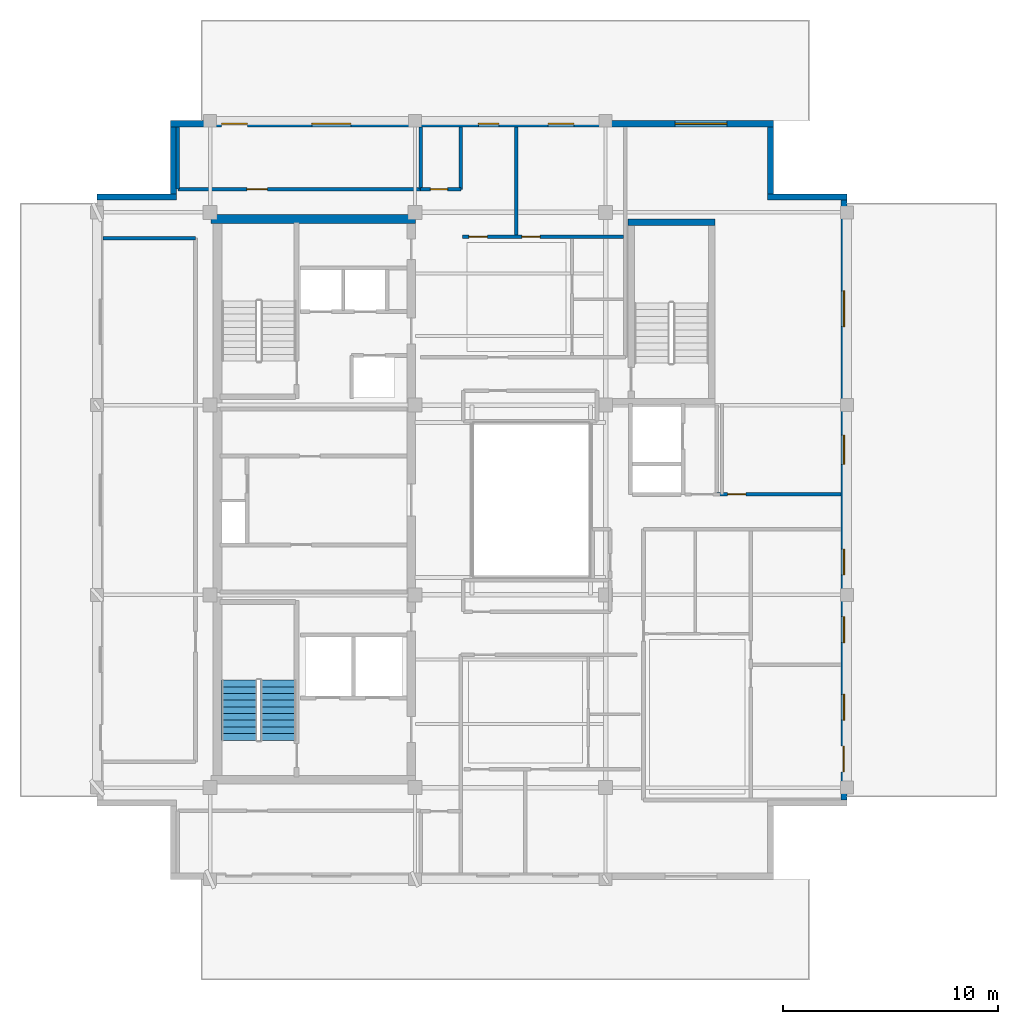
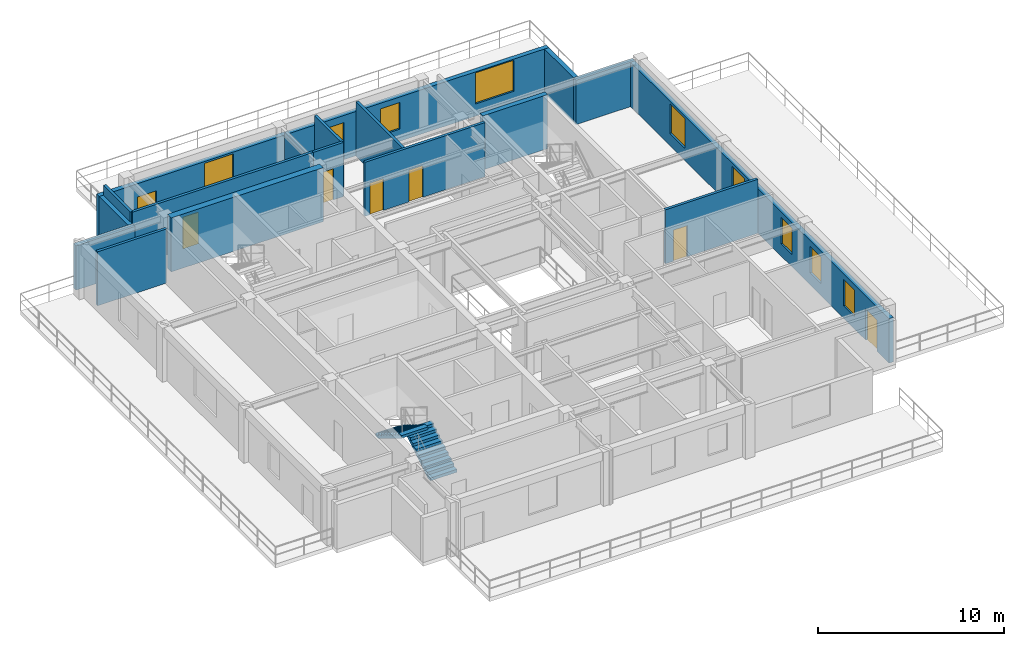
# One storey, part 5 of 9: 17 walls, 9 windows, 7 doors, 2 stair flights, 16 openings, 1 element without a shape of its own.
"""IFC4 building model written with IfcOpenShell, lengths in metres."""

from ifc_helpers import new_model, si_unit, direction, frame, frame_2d, origin, place, context, subcontext, project, spatial, polyline, rectangle, outline, extrude, material, layer, layer_set, type_object, element, fill, aggregate, save


model = new_model("IFC4")

# Units and contexts
model_context = context("Model", 3, precision=1e-05, world=origin(), true_north=direction((0.0, 1.0)))
body_context = subcontext(model_context, "Body", "Model", "MODEL_VIEW")
ifc_project = project(units=[si_unit("LENGTHUNIT", "METRE"), si_unit("AREAUNIT", "SQUARE_METRE"), si_unit("VOLUMEUNIT", "CUBIC_METRE"), si_unit("PLANEANGLEUNIT", "RADIAN"), si_unit("MASSUNIT", "GRAM", prefix="KILO")], contexts=[model_context])

# Site, building, storey
site_placement = place(None, origin())
site = spatial("IfcSite", under=ifc_project, at=site_placement, CompositionType="ELEMENT")
building_placement = place(site_placement, origin())
building = spatial("IfcBuilding", under=site, at=building_placement, Name="Kundavana Baori Tower", CompositionType="ELEMENT")
storey_placement = place(building_placement, frame((0.0, 0.0, 327.699951171875)))
storey = spatial("IfcBuildingStorey", under=building, at=storey_placement, Name="L81", CompositionType="ELEMENT", Elevation=327.699951171875)

# Wall
ifc_material_1 = material(Name="Concrete C50/60", Category="concrete")
ifc_layer_1 = layer(ifc_material_1, 0.39990234375, Name="WL-CORE-400")
ifc_layer_set_1 = layer_set([ifc_layer_1], Name="Concrete C50/60")
wall_type_1 = type_object("IfcWallType", Name="WL-CORE-400", PredefinedType="SHEAR", material=ifc_layer_set_1)
wall_1_placement = place(storey_placement, frame((15.5, 41.639892578125, 0.0), z_axis=(0.0, 0.0, 1.0), x_axis=(1.0, 0.0, 0.0)))
element("IfcWall", 1, at=wall_1_placement, inside=storey, type_object=wall_type_1, Name="L81 Offset Core North Shear Wall", PredefinedType="SHEAR", context=body_context, shape_type="SweptSolid", body=[
    extrude(rectangle(XDim=9.47998046875, YDim=0.39990234375, at=frame_2d((4.739990234375, 0.0))), origin(), (0.0, 0.0, 1.0), 3.56005859375),
])

# Wall, openings, door, windows
ifc_material_2 = material(Name="Red-Buff Dholpur Sandstone Cladding on Concrete C40/50", Category="masonry")
ifc_layer_2 = layer(ifc_material_2, 0.280029296875, Name="WL-EXT-SAND-280")
ifc_layer_set_2 = layer_set([ifc_layer_2], Name="Red-Buff Dholpur Sandstone Cladding on Concrete C40/50")
wall_type_2 = type_object("IfcWallType", Name="WL-EXT-SAND-280", PredefinedType="STANDARD", material=ifc_layer_set_2)
wall_2_placement = place(storey_placement, frame((44.860107421875, 14.679931640625, 0.0), z_axis=(0.0, 0.0, 1.0), x_axis=(0.0, 1.0, 0.0)))
wall_2 = element("IfcWall", 2, at=wall_2_placement, inside=storey, type_object=wall_type_2, Name="L81 Exterior Insulated Facade Wall 04", PredefinedType="STANDARD", context=body_context, shape_type="SweptSolid", body=[
    extrude(rectangle(XDim=27.840087890625, YDim=0.280029296875, at=frame_2d((13.919921875, 0.0))), origin(), (0.0, 0.0, 1.0), 2.920166015625),
])
opening_1_placement = place(wall_2_placement, frame((1.300048828125, 0.0, 0.0)))
opening_1 = element("IfcOpeningElement", 3, at=opening_1_placement, cuts=wall_2, Name="Opening TD-1", PredefinedType="OPENING", context=body_context, shape_type="SweptSolid", body=[
    extrude(rectangle(XDim=1.199951171875, YDim=2.050048828125, at=frame_2d((0.60009765625, 1.02490234375))), frame((0.0, 0.14990234375, 0.0), z_axis=(0.0, -1.0, 0.0), x_axis=(1.0, 0.0, 0.0)), (0.0, 0.0, 1.0), 0.300048828125),
])
opening_2_placement = place(wall_2_placement, frame((3.702880859375, 0.0, 0.800048828125)))
opening_2 = element("IfcOpeningElement", 4, at=opening_2_placement, cuts=wall_2, Name="Opening W-03", PredefinedType="OPENING", context=body_context, shape_type="SweptSolid", body=[
    extrude(rectangle(XDim=1.199951171875, YDim=1.75, at=frame_2d((0.60009765625, 0.875))), frame((0.0, 0.14990234375, 0.0), z_axis=(0.0, -1.0, 0.0), x_axis=(1.0, 0.0, 0.0)), (0.0, 0.0, 1.0), 0.300048828125),
])
opening_3_placement = place(wall_2_placement, frame((7.302978515625, 0.0, 0.800048828125)))
opening_3 = element("IfcOpeningElement", 5, at=opening_3_placement, cuts=wall_2, Name="Opening W-03", PredefinedType="OPENING", context=body_context, shape_type="SweptSolid", body=[
    extrude(rectangle(XDim=1.199951171875, YDim=1.75, at=frame_2d((0.60009765625, 0.875))), frame((0.0, 0.14990234375, 0.0), z_axis=(0.0, -1.0, 0.0), x_axis=(1.0, 0.0, 0.0)), (0.0, 0.0, 1.0), 0.300048828125),
])
opening_4_placement = place(wall_2_placement, frame((10.445068359375, 0.0, 0.800048828125)))
opening_4 = element("IfcOpeningElement", 6, at=opening_4_placement, cuts=wall_2, Name="Opening W-03", PredefinedType="OPENING", context=body_context, shape_type="SweptSolid", body=[
    extrude(rectangle(XDim=1.199951171875, YDim=1.75, at=frame_2d((0.60009765625, 0.875))), frame((0.0, 0.14990234375, 0.0), z_axis=(0.0, -1.0, 0.0), x_axis=(1.0, 0.0, 0.0)), (0.0, 0.0, 1.0), 0.300048828125),
])
opening_5_placement = place(wall_2_placement, frame((15.574951171875, 0.0, 0.800048828125)))
opening_5 = element("IfcOpeningElement", 7, at=opening_5_placement, cuts=wall_2, Name="Opening W-07", PredefinedType="OPENING", context=body_context, shape_type="SweptSolid", body=[
    extrude(rectangle(XDim=1.35009765625, YDim=1.89990234375, at=frame_2d((0.675048828125, 0.949951171875))), frame((0.0, 0.14990234375, 0.0), z_axis=(0.0, -1.0, 0.0), x_axis=(1.0, 0.0, 0.0)), (0.0, 0.0, 1.0), 0.300048828125),
])
opening_6_placement = place(wall_2_placement, frame((21.969970703125, 0.0, 0.800048828125)))
opening_6 = element("IfcOpeningElement", 8, at=opening_6_placement, cuts=wall_2, Name="Opening W-08", PredefinedType="OPENING", context=body_context, shape_type="SweptSolid", body=[
    extrude(rectangle(XDim=1.64990234375, YDim=1.949951171875, at=frame_2d((0.824951171875, 0.97509765625))), frame((0.0, 0.14990234375, 0.0), z_axis=(0.0, -1.0, 0.0), x_axis=(1.0, 0.0, 0.0)), (0.0, 0.0, 1.0), 0.300048828125),
])
ifc_material_3 = material(Name="Architectural Patinated Bronze Metalwork")
door_type_1 = type_object("IfcDoorType", Name="DR-EXT-TER-1200", OperationType="NOTDEFINED", PredefinedType="DOOR", material=ifc_material_3)
door_1_placement = place(opening_1_placement, frame((1.199951171875, 0.0, 0.0), z_axis=(0.0, 0.0, 1.0), x_axis=(-1.0, 0.0, 0.0)))
door_1 = element("IfcDoor", 9, at=door_1_placement, inside=storey, type_object=door_type_1, Name="L81 Terrace Access Door E", OperationType="SINGLE_SWING_RIGHT", OverallHeight=2.050048828125, OverallWidth=1.199951171875, PredefinedType="DOOR", context=body_context, shape_type="SweptSolid", body=[
    extrude(rectangle(XDim=1.199951171875, YDim=2.050048828125, at=frame_2d((0.60009765625, 1.02490234375))), frame((0.0, 0.02490234375, 0.0), z_axis=(0.0, -1.0, 0.0), x_axis=(1.0, 0.0, 0.0)), (0.0, 0.0, 1.0), 0.050048828125),
])
fill(opening_1, door_1)
ifc_material_4 = material(Name="Double-Glazed Solar-Control Low-E Insulated Glass", Category="glass")
window_type_1 = type_object("IfcWindowType", Name="WIN-LOG-1200x1750", PartitioningType="SINGLE_PANEL", PredefinedType="WINDOW", material=ifc_material_4)
window_1_placement = place(opening_2_placement, origin())
window_1 = element("IfcWindow", 10, at=window_1_placement, inside=storey, type_object=window_type_1, Name="L81 Recessed Loggia Window E-1", OverallHeight=1.75, OverallWidth=1.199951171875, PartitioningType="SINGLE_PANEL", PredefinedType="WINDOW", context=body_context, shape_type="SweptSolid", body=[
    extrude(rectangle(XDim=1.199951171875, YDim=1.75, at=frame_2d((0.60009765625, 0.875))), frame((0.0, 0.030029296875, 0.0), z_axis=(0.0, -1.0, 0.0), x_axis=(1.0, 0.0, 0.0)), (0.0, 0.0, 1.0), 0.06005859375),
])
fill(opening_2, window_1)
window_2_placement = place(opening_3_placement, origin())
window_2 = element("IfcWindow", 11, at=window_2_placement, inside=storey, type_object=window_type_1, Name="L81 Recessed Loggia Window E-2", OverallHeight=1.75, OverallWidth=1.199951171875, PartitioningType="SINGLE_PANEL", PredefinedType="WINDOW", context=body_context, shape_type="SweptSolid", body=[
    extrude(rectangle(XDim=1.199951171875, YDim=1.75, at=frame_2d((0.60009765625, 0.875))), frame((0.0, 0.030029296875, 0.0), z_axis=(0.0, -1.0, 0.0), x_axis=(1.0, 0.0, 0.0)), (0.0, 0.0, 1.0), 0.06005859375),
])
fill(opening_3, window_2)
window_3_placement = place(opening_4_placement, origin())
window_3 = element("IfcWindow", 12, at=window_3_placement, inside=storey, type_object=window_type_1, Name="L81 Recessed Loggia Window E-3", OverallHeight=1.75, OverallWidth=1.199951171875, PartitioningType="SINGLE_PANEL", PredefinedType="WINDOW", context=body_context, shape_type="SweptSolid", body=[
    extrude(rectangle(XDim=1.199951171875, YDim=1.75, at=frame_2d((0.60009765625, 0.875))), frame((0.0, 0.030029296875, 0.0), z_axis=(0.0, -1.0, 0.0), x_axis=(1.0, 0.0, 0.0)), (0.0, 0.0, 1.0), 0.06005859375),
])
fill(opening_4, window_3)
ifc_material_5 = material(Name="Double-Glazed Solar-Control Low-E Insulated Glass", Category="glass")
window_type_2 = type_object("IfcWindowType", Name="WIN-LOG-1350x1900", PartitioningType="SINGLE_PANEL", PredefinedType="WINDOW", material=ifc_material_5)
window_4_placement = place(opening_5_placement, origin())
window_4 = element("IfcWindow", 13, at=window_4_placement, inside=storey, type_object=window_type_2, Name="L81 Recessed Loggia Window E-4", OverallHeight=1.89990234375, OverallWidth=1.35009765625, PartitioningType="SINGLE_PANEL", PredefinedType="WINDOW", context=body_context, shape_type="SweptSolid", body=[
    extrude(rectangle(XDim=1.35009765625, YDim=1.89990234375, at=frame_2d((0.675048828125, 0.949951171875))), frame((0.0, 0.030029296875, 0.0), z_axis=(0.0, -1.0, 0.0), x_axis=(1.0, 0.0, 0.0)), (0.0, 0.0, 1.0), 0.06005859375),
])
fill(opening_5, window_4)
ifc_material_6 = material(Name="Double-Glazed Solar-Control Low-E Insulated Glass", Category="glass")
window_type_3 = type_object("IfcWindowType", Name="WIN-LOG-1650x1950", PartitioningType="SINGLE_PANEL", PredefinedType="WINDOW", material=ifc_material_6)
window_5_placement = place(opening_6_placement, origin())
window_5 = element("IfcWindow", 14, at=window_5_placement, inside=storey, type_object=window_type_3, Name="L81 Recessed Loggia Window E-5", OverallHeight=1.949951171875, OverallWidth=1.64990234375, PartitioningType="SINGLE_PANEL", PredefinedType="WINDOW", context=body_context, shape_type="SweptSolid", body=[
    extrude(rectangle(XDim=1.64990234375, YDim=1.949951171875, at=frame_2d((0.824951171875, 0.97509765625))), frame((0.0, 0.030029296875, 0.0), z_axis=(0.0, -1.0, 0.0), x_axis=(1.0, 0.0, 0.0)), (0.0, 0.0, 1.0), 0.06005859375),
])
fill(opening_6, window_5)

# Walls
wall_3_placement = place(storey_placement, frame((45.0, 42.659912109375, 0.0), z_axis=(0.0, 0.0, 1.0), x_axis=(-1.0, 0.0, 0.0)))
element("IfcWall", 15, at=wall_3_placement, inside=storey, type_object=wall_type_2, Name="L81 Exterior Insulated Facade Wall 05", PredefinedType="STANDARD", context=body_context, shape_type="SweptSolid", body=[
    extrude(rectangle(XDim=3.679931640625, YDim=0.280029296875, at=frame_2d((1.83984375, 0.0))), origin(), (0.0, 0.0, 1.0), 2.920166015625),
])
wall_4_placement = place(storey_placement, frame((41.4599609375, 42.800048828125, 0.0), z_axis=(0.0, 0.0, 1.0), x_axis=(0.0, 1.0, 0.0)))
element("IfcWall", 16, at=wall_4_placement, inside=storey, type_object=wall_type_2, Name="L81 Exterior Insulated Facade Wall 06", PredefinedType="STANDARD", context=body_context, shape_type="SweptSolid", body=[
    extrude(rectangle(XDim=3.119873046875, YDim=0.280029296875, at=frame_2d((1.56005859375, 0.0))), origin(), (0.0, 0.0, 1.0), 2.920166015625),
])

# Wall, openings, door, windows
wall_5_placement = place(storey_placement, frame((41.60009765625, 46.06005859375, 0.0), z_axis=(0.0, 0.0, 1.0), x_axis=(-1.0, 0.0, 0.0)))
wall_5 = element("IfcWall", 17, at=wall_5_placement, inside=storey, type_object=wall_type_2, Name="L81 Exterior Insulated Facade Wall 07", PredefinedType="STANDARD", context=body_context, shape_type="SweptSolid", body=[
    extrude(rectangle(XDim=28.0, YDim=0.280029296875, at=frame_2d((14.0, 0.0))), origin(), (0.0, 0.0, 1.0), 2.920166015625),
])
opening_7_placement = place(wall_5_placement, frame((24.419921875, 0.0, 0.0)))
opening_7 = element("IfcOpeningElement", 18, at=opening_7_placement, cuts=wall_5, Name="Opening TD-1", PredefinedType="OPENING", context=body_context, shape_type="SweptSolid", body=[
    extrude(rectangle(XDim=1.199951171875, YDim=2.050048828125, at=frame_2d((0.60009765625, 1.02490234375))), frame((0.0, 0.14990234375, 0.0), z_axis=(0.0, -1.0, 0.0), x_axis=(1.0, 0.0, 0.0)), (0.0, 0.0, 1.0), 0.300048828125),
])
opening_8_placement = place(wall_5_placement, frame((19.625, 0.0, 0.800048828125)))
opening_8 = element("IfcOpeningElement", 19, at=opening_8_placement, cuts=wall_5, Name="Opening W-01", PredefinedType="OPENING", context=body_context, shape_type="SweptSolid", body=[
    extrude(rectangle(XDim=1.800048828125, YDim=2.0, at=frame_2d((0.89990234375, 1.0))), frame((0.0, 0.14990234375, 0.0), z_axis=(0.0, -1.0, 0.0), x_axis=(1.0, 0.0, 0.0)), (0.0, 0.0, 1.0), 0.300048828125),
])
opening_9_placement = place(wall_5_placement, frame((12.7548828125, 0.0, 0.800048828125)))
opening_9 = element("IfcOpeningElement", 20, at=opening_9_placement, cuts=wall_5, Name="Opening W-13", PredefinedType="OPENING", context=body_context, shape_type="SweptSolid", body=[
    extrude(rectangle(XDim=0.949951171875, YDim=1.64990234375, at=frame_2d((0.47509765625, 0.824951171875))), frame((0.0, 0.14990234375, 0.0), z_axis=(0.0, -1.0, 0.0), x_axis=(1.0, 0.0, 0.0)), (0.0, 0.0, 1.0), 0.300048828125),
])
opening_10_placement = place(wall_5_placement, frame((9.27001953125, 0.0, 0.800048828125)))
opening_10 = element("IfcOpeningElement", 21, at=opening_10_placement, cuts=wall_5, Name="Opening W-03", PredefinedType="OPENING", context=body_context, shape_type="SweptSolid", body=[
    extrude(rectangle(XDim=1.199951171875, YDim=1.75, at=frame_2d((0.60009765625, 0.875))), frame((0.0, 0.14990234375, 0.0), z_axis=(0.0, -1.0, 0.0), x_axis=(1.0, 0.0, 0.0)), (0.0, 0.0, 1.0), 0.300048828125),
])
opening_11_placement = place(wall_5_placement, frame((2.175048828125, 0.0, 0.800048828125)))
opening_11 = element("IfcOpeningElement", 22, at=opening_11_placement, cuts=wall_5, Name="Opening W-04", PredefinedType="OPENING", context=body_context, shape_type="SweptSolid", body=[
    extrude(rectangle(XDim=2.39990234375, YDim=2.050048828125, at=frame_2d((1.199951171875, 1.02490234375))), frame((0.0, 0.14990234375, 0.0), z_axis=(0.0, -1.0, 0.0), x_axis=(1.0, 0.0, 0.0)), (0.0, 0.0, 1.0), 0.300048828125),
])
door_2_placement = place(opening_7_placement, frame((1.199951171875, 0.0, 0.0), z_axis=(0.0, 0.0, 1.0), x_axis=(-1.0, 0.0, 0.0)))
door_2 = element("IfcDoor", 23, at=door_2_placement, inside=storey, type_object=door_type_1, Name="L81 Terrace Access Door N", OperationType="SINGLE_SWING_LEFT", OverallHeight=2.050048828125, OverallWidth=1.199951171875, PredefinedType="DOOR", context=body_context, shape_type="SweptSolid", body=[
    extrude(rectangle(XDim=1.199951171875, YDim=2.050048828125, at=frame_2d((0.60009765625, 1.02490234375))), frame((0.0, 0.02490234375, 0.0), z_axis=(0.0, -1.0, 0.0), x_axis=(1.0, 0.0, 0.0)), (0.0, 0.0, 1.0), 0.050048828125),
])
fill(opening_7, door_2)
window_6_placement = place(opening_10_placement, origin())
window_6 = element("IfcWindow", 24, at=window_6_placement, inside=storey, type_object=window_type_1, Name="L81 Recessed Loggia Window N-3", OverallHeight=1.75, OverallWidth=1.199951171875, PartitioningType="SINGLE_PANEL", PredefinedType="WINDOW", context=body_context, shape_type="SweptSolid", body=[
    extrude(rectangle(XDim=1.199951171875, YDim=1.75, at=frame_2d((0.60009765625, 0.875))), frame((0.0, 0.030029296875, 0.0), z_axis=(0.0, -1.0, 0.0), x_axis=(1.0, 0.0, 0.0)), (0.0, 0.0, 1.0), 0.06005859375),
])
fill(opening_10, window_6)
ifc_material_7 = material(Name="Double-Glazed Solar-Control Low-E Insulated Glass", Category="glass")
window_type_4 = type_object("IfcWindowType", Name="WIN-LOG-1800x2000", PartitioningType="SINGLE_PANEL", PredefinedType="WINDOW", material=ifc_material_7)
window_7_placement = place(opening_8_placement, origin())
window_7 = element("IfcWindow", 25, at=window_7_placement, inside=storey, type_object=window_type_4, Name="L81 Recessed Loggia Window N-1", OverallHeight=2.0, OverallWidth=1.800048828125, PartitioningType="SINGLE_PANEL", PredefinedType="WINDOW", context=body_context, shape_type="SweptSolid", body=[
    extrude(rectangle(XDim=1.800048828125, YDim=2.0, at=frame_2d((0.89990234375, 1.0))), frame((0.0, 0.030029296875, 0.0), z_axis=(0.0, -1.0, 0.0), x_axis=(1.0, 0.0, 0.0)), (0.0, 0.0, 1.0), 0.06005859375),
])
fill(opening_8, window_7)
ifc_material_8 = material(Name="Double-Glazed Solar-Control Low-E Insulated Glass", Category="glass")
window_type_5 = type_object("IfcWindowType", Name="WIN-LOG-2400x2050", PartitioningType="SINGLE_PANEL", PredefinedType="WINDOW", material=ifc_material_8)
window_8_placement = place(opening_11_placement, origin())
window_8 = element("IfcWindow", 26, at=window_8_placement, inside=storey, type_object=window_type_5, Name="L81 Recessed Loggia Window N-4", OverallHeight=2.050048828125, OverallWidth=2.39990234375, PartitioningType="SINGLE_PANEL", PredefinedType="WINDOW", context=body_context, shape_type="SweptSolid", body=[
    extrude(rectangle(XDim=2.39990234375, YDim=2.050048828125, at=frame_2d((1.199951171875, 1.02490234375))), frame((0.0, 0.030029296875, 0.0), z_axis=(0.0, -1.0, 0.0), x_axis=(1.0, 0.0, 0.0)), (0.0, 0.0, 1.0), 0.06005859375),
])
fill(opening_11, window_8)
ifc_material_9 = material(Name="Double-Glazed Solar-Control Low-E Insulated Glass", Category="glass")
window_type_6 = type_object("IfcWindowType", Name="WIN-LOG-950x1650", PartitioningType="SINGLE_PANEL", PredefinedType="WINDOW", material=ifc_material_9)
window_9_placement = place(opening_9_placement, origin())
window_9 = element("IfcWindow", 27, at=window_9_placement, inside=storey, type_object=window_type_6, Name="L81 Recessed Loggia Window N-2", OverallHeight=1.64990234375, OverallWidth=0.949951171875, PartitioningType="SINGLE_PANEL", PredefinedType="WINDOW", context=body_context, shape_type="SweptSolid", body=[
    extrude(rectangle(XDim=0.949951171875, YDim=1.64990234375, at=frame_2d((0.47509765625, 0.824951171875))), frame((0.0, 0.030029296875, 0.0), z_axis=(0.0, -1.0, 0.0), x_axis=(1.0, 0.0, 0.0)), (0.0, 0.0, 1.0), 0.06005859375),
])
fill(opening_9, window_9)

# Walls
wall_6_placement = place(storey_placement, frame((13.739990234375, 45.919921875, 0.0), z_axis=(0.0, 0.0, 1.0), x_axis=(0.0, -1.0, 0.0)))
element("IfcWall", 28, at=wall_6_placement, inside=storey, type_object=wall_type_2, Name="L81 Exterior Insulated Facade Wall 08", PredefinedType="STANDARD", context=body_context, shape_type="SweptSolid", body=[
    extrude(rectangle(XDim=3.119873046875, YDim=0.280029296875, at=frame_2d((1.56005859375, 0.0))), origin(), (0.0, 0.0, 1.0), 2.920166015625),
])
wall_7_placement = place(storey_placement, frame((13.8798828125, 42.659912109375, 0.0), z_axis=(0.0, 0.0, 1.0), x_axis=(-1.0, 0.0, 0.0)))
element("IfcWall", 29, at=wall_7_placement, inside=storey, type_object=wall_type_2, Name="L81 Exterior Insulated Facade Wall 09", PredefinedType="STANDARD", context=body_context, shape_type="SweptSolid", body=[
    extrude(rectangle(XDim=3.679931640625, YDim=0.280029296875, at=frame_2d((1.83984375, 0.0))), origin(), (0.0, 0.0, 1.0), 2.920166015625),
])

# Wall, opening, door
ifc_material_10 = material(Name="Fire-Rated Gypsum Drywall on Galvanised Steel Studs", Category="steel")
ifc_layer_3 = layer(ifc_material_10, 0.1650390625, Name="WL-PART-165")
ifc_layer_set_3 = layer_set([ifc_layer_3], Name="Fire-Rated Gypsum Drywall on Galvanised Steel Studs")
wall_type_3 = type_object("IfcWallType", Name="WL-PART-165", PredefinedType="PARTITIONING", material=ifc_layer_set_3)
wall_8_placement = place(storey_placement, frame((13.949951171875, 43.030029296875, 0.0), z_axis=(0.0, 0.0, 1.0), x_axis=(1.0, 0.0, 0.0)))
wall_8 = element("IfcWall", 30, at=wall_8_placement, inside=storey, type_object=wall_type_3, Name="WL-L81-RNC", PredefinedType="PARTITIONING", context=body_context, shape_type="SweptSolid", body=[
    extrude(rectangle(XDim=11.27001953125, YDim=0.1650390625, at=frame_2d((5.635009765625, 0.0))), origin(), (0.0, 0.0, 1.0), 3.56005859375),
])
opening_12_placement = place(wall_8_placement, frame((3.199951171875, 0.0, 0.0)))
opening_12 = element("IfcOpeningElement", 31, at=opening_12_placement, cuts=wall_8, Name="Opening ID-095", PredefinedType="OPENING", context=body_context, shape_type="SweptSolid", body=[
    extrude(rectangle(XDim=0.949951171875, YDim=2.080078125, at=frame_2d((0.47509765625, 1.0400390625))), frame((0.0, 0.092529296875, 0.0), z_axis=(0.0, -1.0, 0.0), x_axis=(1.0, 0.0, 0.0)), (0.0, 0.0, 1.0), 0.18505859375),
])
ifc_material_11 = material(Name="Engineered Teak Solid-Core Timber Veneer", Category="wood")
door_type_2 = type_object("IfcDoorType", Name="DR-INT-950", OperationType="NOTDEFINED", PredefinedType="DOOR", material=ifc_material_11)
door_3_placement = place(opening_12_placement, origin())
door_3 = element("IfcDoor", 32, at=door_3_placement, inside=storey, type_object=door_type_2, Name="DR-L81-RMNW", OperationType="SINGLE_SWING_RIGHT", OverallHeight=2.080078125, OverallWidth=0.949951171875, PredefinedType="DOOR", context=body_context, shape_type="SweptSolid", body=[
    extrude(rectangle(XDim=0.949951171875, YDim=2.080078125, at=frame_2d((0.47509765625, 1.0400390625))), frame((0.0, 0.02490234375, 0.0), z_axis=(0.0, -1.0, 0.0), x_axis=(1.0, 0.0, 0.0)), (0.0, 0.0, 1.0), 0.050048828125),
])
fill(opening_12, door_3)

# Walls
wall_9_placement = place(storey_placement, frame((13.949951171875, 43.030029296875, 0.0), z_axis=(0.0, 0.0, 1.0), x_axis=(0.0, 1.0, 0.0)))
element("IfcWall", 33, at=wall_9_placement, inside=storey, type_object=wall_type_3, Name="WL-L81-RNCW", PredefinedType="PARTITIONING", context=body_context, shape_type="SweptSolid", body=[
    extrude(rectangle(XDim=2.889892578125, YDim=0.1650390625, at=frame_2d((1.44482421875, 0.0))), origin(), (0.0, 0.0, 1.0), 3.56005859375),
])
wall_10_placement = place(storey_placement, frame((25.219970703125, 43.030029296875, 0.0), z_axis=(0.0, 0.0, 1.0), x_axis=(0.0, 1.0, 0.0)))
element("IfcWall", 34, at=wall_10_placement, inside=storey, type_object=wall_type_3, Name="WL-L81-RNCE", PredefinedType="PARTITIONING", context=body_context, shape_type="SweptSolid", body=[
    extrude(rectangle(XDim=2.889892578125, YDim=0.1650390625, at=frame_2d((1.44482421875, 0.0))), origin(), (0.0, 0.0, 1.0), 3.110107421875),
])
wall_11_placement = place(storey_placement, frame((10.47998046875, 40.75, 0.0), z_axis=(0.0, 0.0, 1.0), x_axis=(1.0, 0.0, 0.0)))
element("IfcWall", 35, at=wall_11_placement, inside=storey, type_object=wall_type_3, Name="WL-L81-RWN", PredefinedType="PARTITIONING", context=body_context, shape_type="SweptSolid", body=[
    extrude(rectangle(XDim=4.2900390625, YDim=0.1650390625, at=frame_2d((2.14501953125, 0.0))), origin(), (0.0, 0.0, 1.0), 3.56005859375),
])

# Wall, openings, doors
wall_12_placement = place(storey_placement, frame((27.159912109375, 40.822021484375, 0.0), z_axis=(0.0, 0.0, 1.0), x_axis=(1.0, 0.0, 0.0)))
wall_12 = element("IfcWall", 36, at=wall_12_placement, inside=storey, type_object=wall_type_3, Name="WL-L81-N1-HZ", PredefinedType="PARTITIONING", context=body_context, shape_type="SweptSolid", body=[
    extrude(rectangle(XDim=7.47998046875, YDim=0.1650390625, at=frame_2d((3.739990234375, 0.0))), origin(), (0.0, 0.0, 1.0), 3.56005859375),
])
opening_13_placement = place(wall_12_placement, frame((0.300048828125, 0.0, 0.0)))
opening_13 = element("IfcOpeningElement", 37, at=opening_13_placement, cuts=wall_12, Name="Opening ID-085", PredefinedType="OPENING", context=body_context, shape_type="SweptSolid", body=[
    extrude(rectangle(XDim=0.85009765625, YDim=2.080078125, at=frame_2d((0.425048828125, 1.0400390625))), frame((0.0, 0.092529296875, 0.0), z_axis=(0.0, -1.0, 0.0), x_axis=(1.0, 0.0, 0.0)), (0.0, 0.0, 1.0), 0.18505859375),
])
opening_14_placement = place(wall_12_placement, frame((2.75, 0.0, 0.0)))
opening_14 = element("IfcOpeningElement", 38, at=opening_14_placement, cuts=wall_12, Name="Opening ID-085", PredefinedType="OPENING", context=body_context, shape_type="SweptSolid", body=[
    extrude(rectangle(XDim=0.85009765625, YDim=2.080078125, at=frame_2d((0.425048828125, 1.0400390625))), frame((0.0, 0.092529296875, 0.0), z_axis=(0.0, -1.0, 0.0), x_axis=(1.0, 0.0, 0.0)), (0.0, 0.0, 1.0), 0.18505859375),
])
ifc_material_12 = material(Name="Engineered Teak Solid-Core Timber Veneer", Category="wood")
door_type_3 = type_object("IfcDoorType", Name="DR-INT-850", OperationType="NOTDEFINED", PredefinedType="DOOR", material=ifc_material_12)
door_4_placement = place(opening_13_placement, origin())
door_4 = element("IfcDoor", 39, at=door_4_placement, inside=storey, type_object=door_type_3, Name="DR-L81-N1-B1", OperationType="SINGLE_SWING_LEFT", OverallHeight=2.080078125, OverallWidth=0.85009765625, PredefinedType="DOOR", context=body_context, shape_type="SweptSolid", body=[
    extrude(rectangle(XDim=0.85009765625, YDim=2.080078125, at=frame_2d((0.425048828125, 1.0400390625))), frame((0.0, 0.02490234375, 0.0), z_axis=(0.0, -1.0, 0.0), x_axis=(1.0, 0.0, 0.0)), (0.0, 0.0, 1.0), 0.050048828125),
])
fill(opening_13, door_4)
door_5_placement = place(opening_14_placement, origin())
door_5 = element("IfcDoor", 40, at=door_5_placement, inside=storey, type_object=door_type_3, Name="DR-L81-N1-B2", OperationType="SINGLE_SWING_RIGHT", OverallHeight=2.080078125, OverallWidth=0.85009765625, PredefinedType="DOOR", context=body_context, shape_type="SweptSolid", body=[
    extrude(rectangle(XDim=0.85009765625, YDim=2.080078125, at=frame_2d((0.425048828125, 1.0400390625))), frame((0.0, 0.02490234375, 0.0), z_axis=(0.0, -1.0, 0.0), x_axis=(1.0, 0.0, 0.0)), (0.0, 0.0, 1.0), 0.050048828125),
])
fill(opening_14, door_5)

# Wall
wall_13_placement = place(storey_placement, frame((29.659912109375, 40.902099609375, 0.0), z_axis=(0.0, 0.0, 1.0), x_axis=(0.0, 1.0, 0.0)))
element("IfcWall", 41, at=wall_13_placement, inside=storey, type_object=wall_type_3, Name="WL-L81-N1-BDV", PredefinedType="PARTITIONING", context=body_context, shape_type="SweptSolid", body=[
    extrude(rectangle(XDim=5.017822265625, YDim=0.1650390625, at=frame_2d((2.5087890625, 0.0))), origin(), (0.0, 0.0, 1.0), 3.56005859375),
])

# Wall, opening, door
wall_14_placement = place(storey_placement, frame((38.9599609375, 28.860107421875, 0.0), z_axis=(0.0, 0.0, 1.0), x_axis=(1.0, 0.0, 0.0)))
wall_14 = element("IfcWall", 42, at=wall_14_placement, inside=storey, type_object=wall_type_3, Name="WL-L81-CNES", PredefinedType="PARTITIONING", context=body_context, shape_type="SweptSolid", body=[
    extrude(rectangle(XDim=5.760009765625, YDim=0.1650390625, at=frame_2d((2.8798828125, 0.0))), origin(), (0.0, 0.0, 1.0), 3.56005859375),
])
opening_15_placement = place(wall_14_placement, frame((0.5, 0.0, 0.0)))
opening_15 = element("IfcOpeningElement", 43, at=opening_15_placement, cuts=wall_14, Name="Opening WD-085", PredefinedType="OPENING", context=body_context, shape_type="SweptSolid", body=[
    extrude(rectangle(XDim=0.85009765625, YDim=2.050048828125, at=frame_2d((0.425048828125, 1.02490234375))), frame((0.0, 0.092529296875, 0.0), z_axis=(0.0, -1.0, 0.0), x_axis=(1.0, 0.0, 0.0)), (0.0, 0.0, 1.0), 0.18505859375),
])
ifc_material_13 = material(Name="Engineered Teak Solid-Core Timber Veneer", Category="wood")
door_type_4 = type_object("IfcDoorType", Name="DR-WET-850", OperationType="NOTDEFINED", PredefinedType="DOOR", material=ifc_material_13)
door_6_placement = place(opening_15_placement, origin())
door_6 = element("IfcDoor", 44, at=door_6_placement, inside=storey, type_object=door_type_4, Name="DR-L81-RCNE", OperationType="SINGLE_SWING_LEFT", OverallHeight=2.050048828125, OverallWidth=0.85009765625, PredefinedType="DOOR", context=body_context, shape_type="SweptSolid", body=[
    extrude(rectangle(XDim=0.85009765625, YDim=2.050048828125, at=frame_2d((0.425048828125, 1.02490234375))), frame((0.0, 0.02490234375, 0.0), z_axis=(0.0, -1.0, 0.0), x_axis=(1.0, 0.0, 0.0)), (0.0, 0.0, 1.0), 0.050048828125),
])
fill(opening_15, door_6)

wall_15_placement = place(storey_placement, frame((25.219970703125, 43.02001953125, 0.0), z_axis=(0.0, 0.0, 1.0), x_axis=(1.0, 0.0, 0.0)))
wall_15 = element("IfcWall", 45, at=wall_15_placement, inside=storey, type_object=wall_type_3, Name="WL-L81-CNCS", PredefinedType="PARTITIONING", context=body_context, shape_type="SweptSolid", body=[
    extrude(rectangle(XDim=1.860107421875, YDim=0.1650390625, at=frame_2d((0.93017578125, 0.0))), origin(), (0.0, 0.0, 1.0), 3.56005859375),
])
opening_16_placement = place(wall_15_placement, frame((0.449951171875, 0.0, 0.0)))
opening_16 = element("IfcOpeningElement", 46, at=opening_16_placement, cuts=wall_15, Name="Opening WD-080", PredefinedType="OPENING", context=body_context, shape_type="SweptSolid", body=[
    extrude(rectangle(XDim=0.800048828125, YDim=2.050048828125, at=frame_2d((0.39990234375, 1.02490234375))), frame((0.0, 0.092529296875, 0.0), z_axis=(0.0, -1.0, 0.0), x_axis=(1.0, 0.0, 0.0)), (0.0, 0.0, 1.0), 0.18505859375),
])
ifc_material_14 = material(Name="Engineered Teak Solid-Core Timber Veneer", Category="wood")
door_type_5 = type_object("IfcDoorType", Name="DR-WET-800", OperationType="NOTDEFINED", PredefinedType="DOOR", material=ifc_material_14)
door_7_placement = place(opening_16_placement, frame((0.800048828125, 0.0, 0.0), z_axis=(0.0, 0.0, 1.0), x_axis=(-1.0, 0.0, 0.0)))
door_7 = element("IfcDoor", 47, at=door_7_placement, inside=storey, type_object=door_type_5, Name="DR-L81-CSCN", OperationType="SINGLE_SWING_LEFT", OverallHeight=2.050048828125, OverallWidth=0.800048828125, PredefinedType="DOOR", context=body_context, shape_type="SweptSolid", body=[
    extrude(rectangle(XDim=0.800048828125, YDim=2.050048828125, at=frame_2d((0.39990234375, 1.02490234375))), frame((0.0, 0.02490234375, 0.0), z_axis=(0.0, -1.0, 0.0), x_axis=(1.0, 0.0, 0.0)), (0.0, 0.0, 1.0), 0.050048828125),
])
fill(opening_16, door_7)

# Walls
wall_16_placement = place(storey_placement, frame((27.080078125, 43.02001953125, 0.0), z_axis=(0.0, 0.0, 1.0), x_axis=(0.0, 1.0, 0.0)))
element("IfcWall", 48, at=wall_16_placement, inside=storey, type_object=wall_type_3, Name="WL-L81-CNCE", PredefinedType="PARTITIONING", context=body_context, shape_type="SweptSolid", body=[
    extrude(rectangle(XDim=2.89990234375, YDim=0.1650390625, at=frame_2d((1.449951171875, 0.0))), origin(), (0.0, 0.0, 1.0), 3.56005859375),
])
ifc_material_15 = material(Name="Concrete C50/60", Category="concrete")
ifc_layer_4 = layer(ifc_material_15, 0.300048828125, Name="WL-ST3-300")
ifc_layer_set_4 = layer_set([ifc_layer_4], Name="Concrete C50/60")
wall_type_4 = type_object("IfcWallType", Name="WL-ST3-300", PredefinedType="SHEAR", material=ifc_layer_set_4)
wall_17_placement = place(storey_placement, frame((34.830078125, 41.489990234375, 0.0), z_axis=(0.0, 0.0, 1.0), x_axis=(1.0, 0.0, 0.0)))
element("IfcWall", 49, at=wall_17_placement, inside=storey, type_object=wall_type_4, Name="L81 Stair ST3 North Shear Wall", PredefinedType="SHEAR", context=body_context, shape_type="SweptSolid", body=[
    extrude(rectangle(XDim=4.0400390625, YDim=0.300048828125, at=frame_2d((2.02001953125, 0.0))), origin(), (0.0, 0.0, 1.0), 3.56005859375),
])

# Stair, stair flights
ifc_material_16 = material(Name="Concrete C40/50", Category="concrete")
stair_type = type_object("IfcStairType", Name="STR-DOG-1650", PredefinedType="HALF_TURN_STAIR", material=ifc_material_16)
stair_placement = place(storey_placement, origin())
stair = element("IfcStair", 50, at=stair_placement, inside=storey, type_object=stair_type, Name="L81 Protected Exit Stair ST1", PredefinedType="HALF_TURN_STAIR")
ifc_material_17 = material(Name="Concrete C40/50", Category="concrete")
stair_flight_type = type_object("IfcStairFlightType", Name="SFL-RC-1650", PredefinedType="STRAIGHT", material=ifc_material_17)
stair_flight_1_placement = place(storey_placement, frame((18.614990234375, 17.449951171875, 0.0), z_axis=(0.0, 0.0, 1.0), x_axis=(0.0, 1.0, 0.0)))
stair_flight_1 = element("IfcStairFlight", 51, at=stair_flight_1_placement, type_object=stair_flight_type, Name="ST1 flight 1", NumberOfRisers=10, NumberOfTreads=9, PredefinedType="STRAIGHT", RiserHeight=0.19, TreadLength=0.31, context=body_context, shape_type="SweptSolid", body=[
    extrude(outline(polyline([(0.0, 0.0), (0.0, 0.18994140625), (0.31005859375, 0.18994140625), (0.31005859375, 0.3798828125), (0.6201171875, 0.3798828125), (0.6201171875, 0.570068359375), (0.929931640625, 0.570068359375), (0.929931640625, 0.760009765625), (1.239990234375, 0.760009765625), (1.239990234375, 0.949951171875), (1.550048828125, 0.949951171875), (1.550048828125, 1.139892578125), (1.860107421875, 1.139892578125), (1.860107421875, 1.330078125), (2.169921875, 1.330078125), (2.169921875, 1.52001953125), (2.47998046875, 1.52001953125), (2.47998046875, 1.7099609375), (2.7900390625, 1.7099609375), (2.7900390625, 1.89990234375), (2.7900390625, 1.5341796875), (0.286865234375, 0.0), (0.0, 0.0)])), frame((0.0, 0.824951171875, 0.0), z_axis=(0.0, -1.0, 0.0), x_axis=(1.0, 0.0, 0.0)), (0.0, 0.0, 1.0), 1.64990234375),
])
stair_flight_2_placement = place(storey_placement, frame((16.804931640625, 20.239990234375, 1.900146484375), z_axis=(0.0, 0.0, 1.0), x_axis=(0.0, -1.0, 0.0)))
stair_flight_2 = element("IfcStairFlight", 52, at=stair_flight_2_placement, type_object=stair_flight_type, Name="ST1 flight 2", NumberOfRisers=10, NumberOfTreads=9, PredefinedType="STRAIGHT", RiserHeight=0.19, TreadLength=0.31, context=body_context, shape_type="SweptSolid", body=[
    extrude(outline(polyline([(0.0, 0.0), (0.0, 0.18994140625), (0.31005859375, 0.18994140625), (0.31005859375, 0.3798828125), (0.6201171875, 0.3798828125), (0.6201171875, 0.570068359375), (0.929931640625, 0.570068359375), (0.929931640625, 0.760009765625), (1.239990234375, 0.760009765625), (1.239990234375, 0.949951171875), (1.550048828125, 0.949951171875), (1.550048828125, 1.139892578125), (1.860107421875, 1.139892578125), (1.860107421875, 1.330078125), (2.169921875, 1.330078125), (2.169921875, 1.52001953125), (2.47998046875, 1.52001953125), (2.47998046875, 1.7099609375), (2.7900390625, 1.7099609375), (2.7900390625, 1.89990234375), (2.7900390625, 1.5341796875), (0.286865234375, 0.0), (0.0, 0.0)])), frame((0.0, 0.824951171875, 0.0), z_axis=(0.0, -1.0, 0.0), x_axis=(1.0, 0.0, 0.0)), (0.0, 0.0, 1.0), 1.64990234375),
])
aggregate(stair, [stair_flight_1, stair_flight_2])

save(model, "model.ifc")
